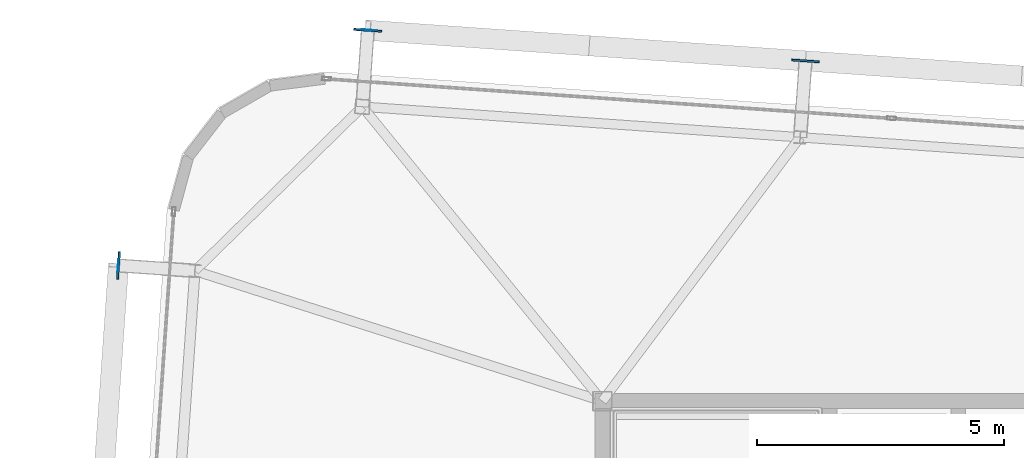
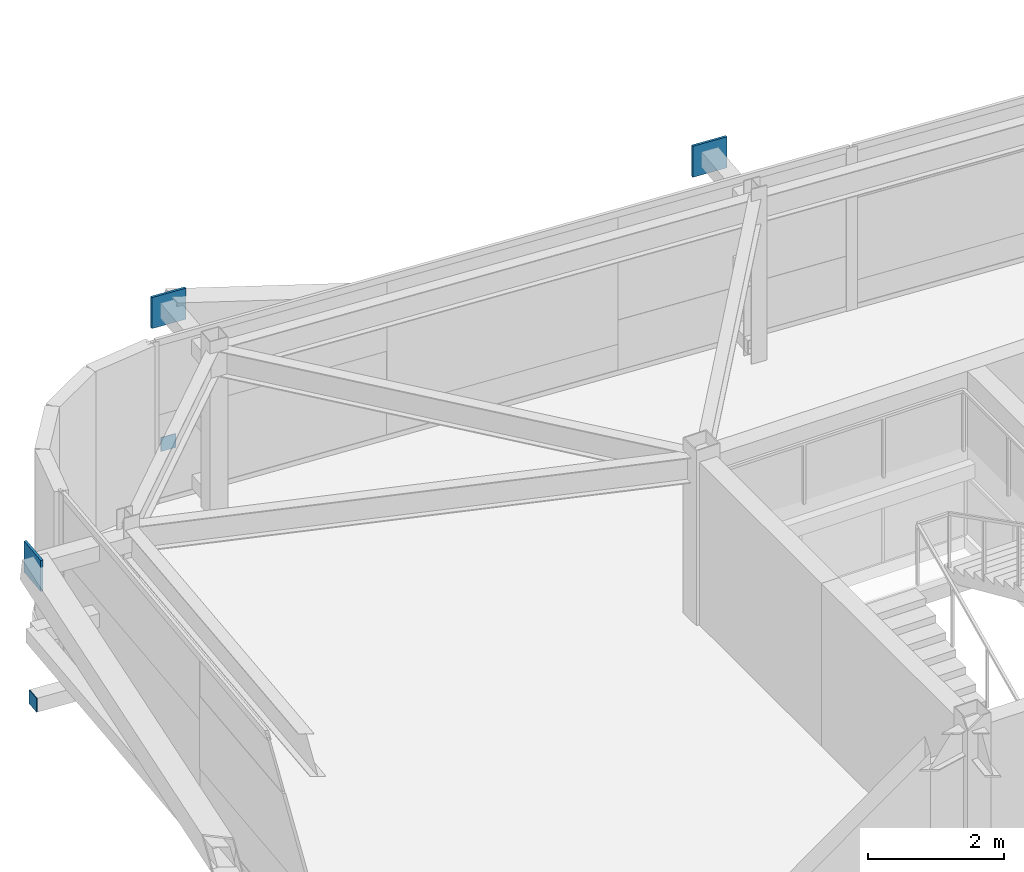
# One storey, part 32 of 39: 5 plates.
"""IFC4 building model written with IfcOpenShell, lengths in metres."""

import ifcopenshell
import ifcopenshell.guid

model = None  # the IFC model being written
_history = None  # IfcOwnerHistory: only IFC2X3 demands one
_inside = {}  # id of a spatial element -> (the spatial element, [elements in it])
_under = {}  # id of a project, library or spatial element -> (it, [spatial elements below it])
_declared = {}  # id of a project -> (the project, [libraries it declares])
_typed = {}  # id of a type object -> (the type object, [elements of that type])
_made_of = {}  # id of a material, layer set ... -> (it, [elements and type objects made of it])


def new_model(schema):
    """Start an empty IFC model of exactly this schema.

    Asked for "IFC4X3", IfcOpenShell would pick the latest addendum, in which some entities
    have other attributes; the version numbers below select the first issue.
    IFC2X3 requires an IfcOwnerHistory on every rooted entity: one is made here for all.
    """
    global model, _history
    if schema == "IFC4X3":
        model = ifcopenshell.file(schema_version=(4, 3, 0, 0))
    else:
        model = ifcopenshell.file(schema=schema)
    _inside.clear()
    _under.clear()
    _declared.clear()
    _typed.clear()
    _made_of.clear()
    _history = None
    if model.schema == "IFC2X3":
        org = make("IfcOrganization", Name="unknown")
        user = make(
            "IfcPersonAndOrganization",
            ThePerson=make("IfcPerson", FamilyName="unknown"),
            TheOrganization=org,
        )
        app = make(
            "IfcApplication",
            ApplicationDeveloper=org,
            Version="unknown",
            ApplicationFullName="unknown",
            ApplicationIdentifier="unknown",
        )
        _history = make(
            "IfcOwnerHistory",
            OwningUser=user,
            OwningApplication=app,
            ChangeAction="ADDED",
            CreationDate=0,
        )
    return model


def make(cls, **values):
    """One entity of the class cls with the attributes given. An attribute that is None is left unset."""
    return model.create_entity(
        cls, **{name: value for name, value in values.items() if value is not None}
    )


def rooted(cls, **values):
    """An entity with a GlobalId (a new one), such as an element, a storey or a relation."""
    return make(cls, GlobalId=ifcopenshell.guid.new(), OwnerHistory=_history, **values)


def si_unit(unit_type, name, prefix=None):
    """IfcSIUnit, for example si_unit("LENGTHUNIT", "METRE", prefix="MILLI")."""
    return make("IfcSIUnit", UnitType=unit_type, Prefix=prefix, Name=name)


def assignment(units):
    """IfcUnitAssignment: the units of a project."""
    return None if units is None else make("IfcUnitAssignment", Units=units)


def point(xyz):
    """IfcCartesianPoint."""
    return None if xyz is None else make("IfcCartesianPoint", Coordinates=xyz)


def direction(xyz):
    """IfcDirection."""
    return None if xyz is None else make("IfcDirection", DirectionRatios=xyz)


def frame(location, z_axis=None, x_axis=None):
    """IfcAxis2Placement3D, a coordinate frame: its origin and axes. An axis left out is left unset."""
    return make(
        "IfcAxis2Placement3D",
        Location=point(location),
        Axis=direction(z_axis),
        RefDirection=direction(x_axis),
    )


def frame_2d(location, x_axis=None):
    """IfcAxis2Placement2D, a coordinate frame in the plane: its origin and x axis."""
    return make(
        "IfcAxis2Placement2D", Location=point(location), RefDirection=direction(x_axis)
    )


def origin():
    """The frame at (0, 0, 0) with its axes left unset."""
    return frame((0.0, 0.0, 0.0))


def origin_2d():
    """The frame at (0, 0) in the plane with its x axis left unset."""
    return frame_2d((0.0, 0.0))


def place(relative_to, where):
    """IfcLocalPlacement: puts the frame where relative to a parent placement (None: the world)."""
    return make(
        "IfcLocalPlacement", PlacementRelTo=relative_to, RelativePlacement=where
    )


def context(
    kind, dimensions, precision=None, world=None, true_north=None, identifier=None
):
    """IfcGeometricRepresentationContext, for example the 3D "Model" context."""
    return make(
        "IfcGeometricRepresentationContext",
        ContextIdentifier=identifier,
        ContextType=kind,
        CoordinateSpaceDimension=dimensions,
        Precision=precision,
        WorldCoordinateSystem=world,
        TrueNorth=true_north,
    )


def subcontext(parent, identifier, kind, view, scale=None):
    """IfcGeometricRepresentationSubContext, for example "Body" below "Model"."""
    return make(
        "IfcGeometricRepresentationSubContext",
        ContextIdentifier=identifier,
        ContextType=kind,
        ParentContext=parent,
        TargetScale=scale,
        TargetView=view,
    )


def project(units=None, contexts=None):
    """IfcProject with its units and contexts."""
    return rooted(
        "IfcProject",
        Name="project",
        RepresentationContexts=contexts,
        UnitsInContext=assignment(units),
    )


def spatial(cls, under=None, at=None, **own):
    """A site, building, storey or space (cls), placed at a placement, below another one or the project."""
    s = rooted(cls, ObjectPlacement=at, **own)
    if under is not None:
        _under.setdefault(under.id(), (under, []))[1].append(s)
    return s


def profile(cls, at=None, kind="AREA", **sizes):
    """A parametric profile (cls). Its sizes go by their IFC names, for example OverallWidth=200.0."""
    return make(cls, ProfileType=kind, Position=at, **sizes)


def rectangle(**sizes):
    """IfcRectangleProfileDef."""
    return profile("IfcRectangleProfileDef", **sizes)


def extrude(swept, where, along, depth):
    """IfcExtrudedAreaSolid: the profile swept, set in the frame where, extruded along a direction by depth."""
    return make(
        "IfcExtrudedAreaSolid",
        SweptArea=swept,
        Position=where,
        ExtrudedDirection=direction(along),
        Depth=depth,
    )


def shape(context_of_items, identifier, shape_type, items):
    """IfcShapeRepresentation: the items that make up one representation, for example the "Body"."""
    return make(
        "IfcShapeRepresentation",
        ContextOfItems=context_of_items,
        RepresentationIdentifier=identifier,
        RepresentationType=shape_type,
        Items=items,
    )


def source(mapping_origin, context_of_items, identifier, shape_type, items):
    """IfcRepresentationMap: a shape defined once, which mapped items show again and again."""
    return make(
        "IfcRepresentationMap",
        MappingOrigin=mapping_origin,
        MappedRepresentation=shape(context_of_items, identifier, shape_type, items),
    )


def transform(
    local_origin,
    x_axis=None,
    y_axis=None,
    z_axis=None,
    scale=None,
    scale2=None,
    scale3=None,
    uniform=True,
):
    """IfcCartesianTransformationOperator3D, or its non-uniform kind. x_axis, y_axis, z_axis: its Axis1, 2, 3."""
    if uniform:
        return make(
            "IfcCartesianTransformationOperator3D",
            Axis1=direction(x_axis),
            Axis2=direction(y_axis),
            LocalOrigin=point(local_origin),
            Scale=scale,
            Axis3=direction(z_axis),
        )
    return make(
        "IfcCartesianTransformationOperator3DnonUniform",
        Axis1=direction(x_axis),
        Axis2=direction(y_axis),
        LocalOrigin=point(local_origin),
        Scale=scale,
        Axis3=direction(z_axis),
        Scale2=scale2,
        Scale3=scale3,
    )


def mapped(mapping_source, mapping_target):
    """IfcMappedItem: shows the shape of a source again, moved by a transform."""
    return make(
        "IfcMappedItem", MappingSource=mapping_source, MappingTarget=mapping_target
    )


def material(Name=None, Category=None):
    """IfcMaterial."""
    return make("IfcMaterial", Name=Name, Category=Category)


def layer(
    of_material, thickness, ventilated=None, Name=None, Category=None, Priority=None
):
    """IfcMaterialLayer: one layer of a wall or slab, of a material (None: an air gap)."""
    return make(
        "IfcMaterialLayer",
        Material=of_material,
        LayerThickness=thickness,
        IsVentilated=ventilated,
        Name=Name,
        Category=Category,
        Priority=Priority,
    )


def layer_set(layers, Name=None):
    """IfcMaterialLayerSet."""
    return make("IfcMaterialLayerSet", MaterialLayers=layers, LayerSetName=Name)


def made_of(thing, what):
    """Note that an element or type object is made of a material, layer set ...; save() writes the relation."""
    if what is not None:
        _made_of.setdefault(what.id(), (what, []))[1].append(thing)
    return thing


def type_object(cls, material=None, **own):
    """A type object (cls), such as IfcWallType, which elements share."""
    return made_of(rooted(cls, **own), material)


def element(
    cls,
    number,
    at=None,
    inside=None,
    cuts=None,
    type_object=None,
    material=None,
    context=None,
    identifier="Body",
    shape_type=None,
    held_by="IfcProductDefinitionShape",
    body=None,
    shapes=None,
    **own,
):
    """One element of the class cls, such as IfcWall. Its Tag is "e" and its number.

    at: its placement. inside: the storey or other place that contains it. cuts: it is an
    opening in that element (IfcRelVoidsElement). A single representation is given by context,
    identifier, shape_type and body (its items); several are given by shapes. held_by: the class
    of the entity that holds the representations. save() writes the other relations.
    """
    e = rooted(cls, Tag="e%d" % number, ObjectPlacement=at, **own)
    if body is not None:
        shapes = [shape(context, identifier, shape_type, body)]
    if shapes is not None:
        e.Representation = make(held_by, Representations=shapes)
    if inside is not None:
        _inside.setdefault(inside.id(), (inside, []))[1].append(e)
    if cuts is not None:
        rooted(
            "IfcRelVoidsElement", RelatingBuildingElement=cuts, RelatedOpeningElement=e
        )
    if type_object is not None:
        _typed.setdefault(type_object.id(), (type_object, []))[1].append(e)
    return made_of(e, material)


def aggregate(whole, parts):
    """IfcRelAggregates: a whole, such as a stair, and the parts it consists of."""
    return rooted("IfcRelAggregates", RelatingObject=whole, RelatedObjects=parts)


def save(model, path):
    """Write the relations noted so far, then the file.

    IfcRelAggregates (storeys below a building ...), IfcRelContainedInSpatialStructure (elements
    in a storey), IfcRelDefinesByType, IfcRelAssociatesMaterial and IfcRelDeclares: one each for
    every whole, place, type object, material and project.
    """
    for whole, parts in _under.values():
        aggregate(whole, parts)
    for where, things in _inside.values():
        rooted(
            "IfcRelContainedInSpatialStructure",
            RelatedElements=things,
            RelatingStructure=where,
        )
    for kind, things in _typed.values():
        rooted("IfcRelDefinesByType", RelatedObjects=things, RelatingType=kind)
    for what, things in _made_of.values():
        rooted("IfcRelAssociatesMaterial", RelatedObjects=things, RelatingMaterial=what)
    for by, libraries in _declared.values():
        rooted("IfcRelDeclares", RelatingContext=by, RelatedDefinitions=libraries)
    model.write(path)


model = new_model("IFC4")

# Units and contexts
model_context = context("Model", 3, precision=1e-05, world=origin(), true_north=direction((0.0, 1.0)))
body_context = subcontext(model_context, "Body", "Model", "MODEL_VIEW")
ifc_project = project(units=[si_unit("LENGTHUNIT", "METRE"), si_unit("AREAUNIT", "SQUARE_METRE"), si_unit("VOLUMEUNIT", "CUBIC_METRE"), si_unit("PLANEANGLEUNIT", "RADIAN"), si_unit("MASSUNIT", "GRAM", prefix="KILO")], contexts=[model_context])

# Site, building, storey
site_placement = place(None, origin())
site = spatial("IfcSite", under=ifc_project, at=site_placement, CompositionType="ELEMENT")
building_placement = place(site_placement, origin())
building = spatial("IfcBuilding", under=site, at=building_placement, Name="Taldren Reach Tower", CompositionType="ELEMENT")
storey_placement = place(building_placement, frame((0.0, 0.0, 123.550048828125)))
storey = spatial("IfcBuildingStorey", under=building, at=storey_placement, Name="L37", CompositionType="ELEMENT", Elevation=123.550048828125)

# Plates
ifc_material_1 = material(Name="Steel Gr 450 (C450L0)", Category="steel")
ifc_layer_1 = layer(ifc_material_1, 0.0400390625)
ifc_layer_set_1 = layer_set([ifc_layer_1], Name="Steel Gr 450 (C450L0)")
plate_type_1 = type_object("IfcPlateType", Name="PL-GUSSET-40", PredefinedType="SHEET", material=ifc_layer_set_1)
shared_shape_1 = source(origin(), body_context, "Body", "SweptSolid", [
    extrude(rectangle(XDim=0.56005859375, YDim=0.0400390625, at=origin_2d()), origin(), (0.0, 0.0, 1.0), 0.56005859375),
])
for number, where, z_axis, x_axis, name in (
    (1, (14.252685546875, 39.5048828125, 2.369873046875), (0.0, 0.0, 1.0), (0.99756405026, -0.069756473744, 0.0), "Exoskeleton star-node gusset plate B3-N1 L37"),
    (2, (23.111083984375, 38.885498046875, 2.369873046875), (0.0, 0.0, 1.0), (0.99756405026, -0.069756473744, 0.0), "Exoskeleton star-node gusset plate B3-N2 L37"),
    (3, (9.20849609375, 34.745361328125, 2.369873046875), (0.0, 0.0, 1.0), (0.069756473744, 0.99756405026, 0.0), "Exoskeleton star-node gusset plate B3-W3 L37"),
):
    element("IfcPlate", number, at=place(storey_placement, frame(where, z_axis=z_axis, x_axis=x_axis)), inside=storey, type_object=plate_type_1, Name=name, PredefinedType="SHEET", context=body_context, shape_type="MappedRepresentation", body=[
        mapped(shared_shape_1, transform((0.0, 0.0, 0.0), scale=1.0)),
    ])
ifc_material_2 = material(Name="Steel Gr 350 (C350L0)", Category="steel")
ifc_layer_2 = layer(ifc_material_2, 0.011962890625)
ifc_layer_set_2 = layer_set([ifc_layer_2], Name="Steel Gr 350 (C350L0)")
plate_type_2 = type_object("IfcPlateType", Name="PL-CAP-250", PredefinedType="SHEET", material=ifc_layer_set_2)
shared_shape_2 = source(origin(), body_context, "Body", "SweptSolid", [
    extrude(rectangle(XDim=0.25, YDim=0.011962890625, at=origin_2d()), origin(), (0.0, 0.0, 1.0), 0.25),
])
plate_1_placement = place(storey_placement, frame((14.253173828125, 39.510986328125, 0.094970703125), z_axis=(0.0, 0.0, 1.0), x_axis=(0.99756405026, -0.069756473744, 0.0)))
element("IfcPlate", 4, at=plate_1_placement, inside=storey, type_object=plate_type_2, Name="Tie strut end cap plate B3-N1 L37", PredefinedType="SHEET", context=body_context, shape_type="MappedRepresentation", body=[
    mapped(shared_shape_2, transform((0.0, 0.0, 0.0), scale=1.0)),
])
shared_shape_3 = source(origin(), body_context, "Body", "SweptSolid", [
    extrude(rectangle(XDim=0.011962890625, YDim=0.25, at=origin_2d()), origin(), (0.0, 0.0, 1.0), 0.25),
])
plate_2_placement = place(storey_placement, frame((9.202392578125, 34.74560546875, 0.094970703125), z_axis=(0.0, 0.0, 1.0), x_axis=(0.99756405026, -0.069756473744, 0.0)))
element("IfcPlate", 5, at=plate_2_placement, inside=storey, type_object=plate_type_2, Name="Tie strut end cap plate B3-W3 L37", PredefinedType="SHEET", context=body_context, shape_type="MappedRepresentation", body=[
    mapped(shared_shape_3, transform((0.0, 0.0, 0.0), scale=1.0)),
])

save(model, "model.ifc")
